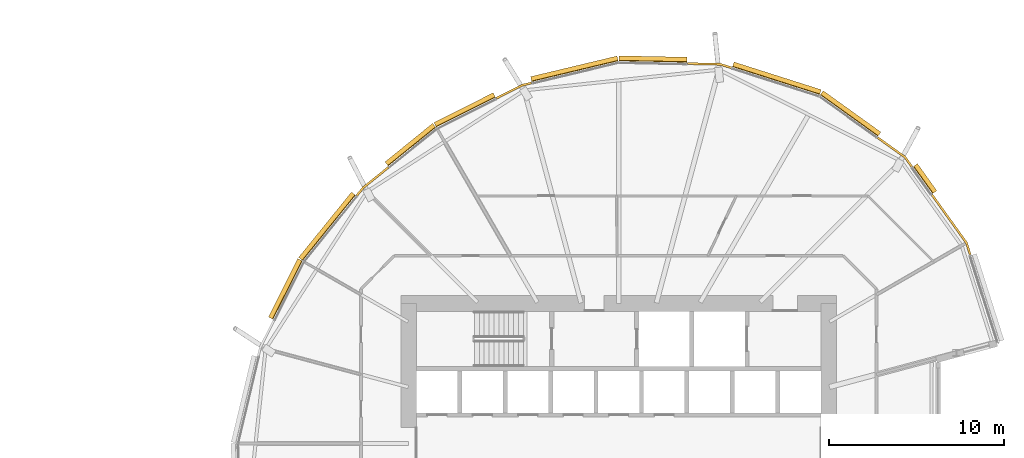
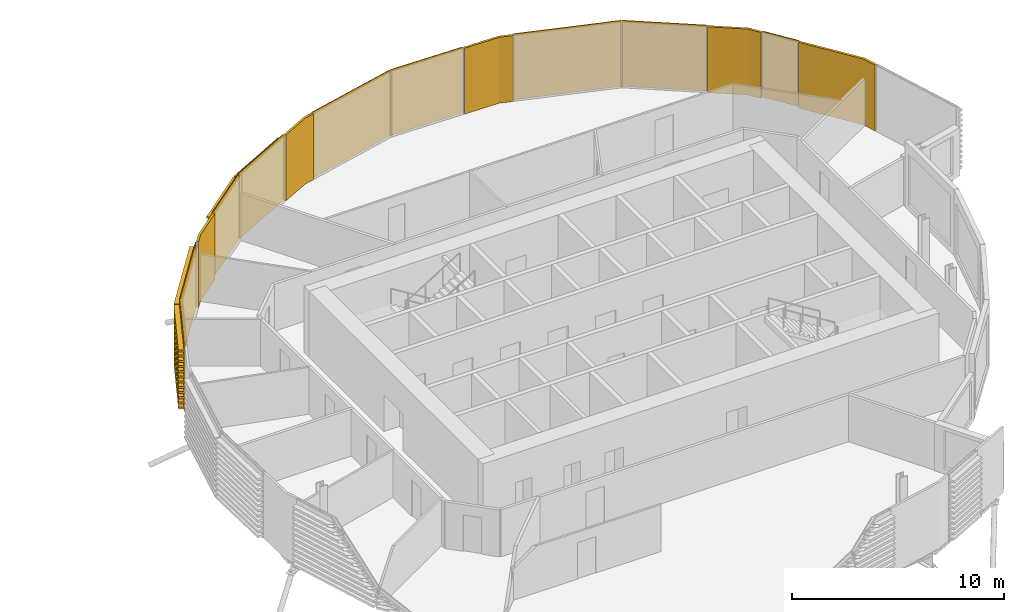
# One storey, part 38 of 38: 14 coverings.
"""IFC4 building model written with IfcOpenShell, lengths in metres."""

from ifc_helpers import new_model, si_unit, direction, frame, origin, place, context, subcontext, project, spatial, polyline, outline, extrude, material, layer, layer_set, material_profile, profile_set, type_object, element, save


model = new_model("IFC4")

# Units and contexts
model_context = context("Model", 3, precision=1e-05, world=origin(), true_north=direction((0.0, 1.0)))
body_context = subcontext(model_context, "Body", "Model", "MODEL_VIEW")
ifc_project = project(units=[si_unit("LENGTHUNIT", "METRE"), si_unit("AREAUNIT", "SQUARE_METRE"), si_unit("VOLUMEUNIT", "CUBIC_METRE"), si_unit("PLANEANGLEUNIT", "RADIAN"), si_unit("MASSUNIT", "GRAM", prefix="KILO")], contexts=[model_context])

# Site, building, storey
site_placement = place(None, origin())
site = spatial("IfcSite", under=ifc_project, at=site_placement, CompositionType="ELEMENT")
building_placement = place(site_placement, origin())
building = spatial("IfcBuilding", under=site, at=building_placement, Name="Rimbun Link Towers", CompositionType="ELEMENT")
storey_placement = place(building_placement, frame((0.0, 0.0, 56.60009765625)))
storey = spatial("IfcBuildingStorey", under=building, at=storey_placement, Name="L13", CompositionType="ELEMENT", Elevation=56.60009765625)

# Coverings
ifc_material_1 = material(Name="Terracotta", Category="masonry")
ifc_layer = layer(ifc_material_1, 0.1201171875)
ifc_layer_set = layer_set([ifc_layer], Name="LINK PIER terracotta cladding 120")
covering_type_1 = type_object("IfcCoveringType", Name="LINK PIER terracotta cladding 120", PredefinedType="CLADDING", material=ifc_layer_set)
covering_1_placement = place(storey_placement, origin())
element("IfcCovering", 1, at=covering_1_placement, inside=storey, type_object=covering_type_1, Name="LINK PIER cladding", PredefinedType="CLADDING", context=body_context, shape_type="SweptSolid", body=[
    extrude(outline(polyline([(46.503662109375, 17.432861328125), (48.063720703125, 16.313720703125), (48.4541015625, 15.769287109375), (48.5517578125, 15.839111328125), (48.149658203125, 16.399658203125), (46.57373046875, 17.530517578125), (46.503662109375, 17.432861328125)])), origin(), (0.0, 0.0, 1.0), 3.7998046875),
])
covering_2_placement = place(storey_placement, origin())
element("IfcCovering", 2, at=covering_2_placement, inside=storey, type_object=covering_type_1, Name="LINK PIER cladding", PredefinedType="CLADDING", context=body_context, shape_type="SweptSolid", body=[
    extrude(outline(polyline([(35.67041015625, 21.647705078125), (37.539794921875, 21.6083984375), (38.178466796875, 21.4052734375), (38.21484375, 21.51953125), (37.559814453125, 21.72802734375), (35.6728515625, 21.767578125), (35.67041015625, 21.647705078125)])), origin(), (0.0, 0.0, 1.0), 3.7998046875),
])
covering_3_placement = place(storey_placement, origin())
element("IfcCovering", 3, at=covering_3_placement, inside=storey, type_object=covering_type_1, Name="LINK PIER cladding", PredefinedType="CLADDING", context=body_context, shape_type="SweptSolid", body=[
    extrude(outline(polyline([(24.78564453125, 19.672119140625), (26.278076171875, 20.421630859375), (26.78369140625, 20.54248046875), (26.755859375, 20.6591796875), (26.236572265625, 20.53515625), (24.731689453125, 19.779296875), (24.78564453125, 19.672119140625)])), origin(), (0.0, 0.0, 1.0), 3.7998046875),
])
covering_4_placement = place(storey_placement, origin())
element("IfcCovering", 4, at=covering_4_placement, inside=storey, type_object=covering_type_1, Name="LINK PIER cladding", PredefinedType="CLADDING", context=body_context, shape_type="SweptSolid", body=[
    extrude(outline(polyline([(16.82568359375, 14.12255859375), (17.184326171875, 14.565673828125), (18.6376953125, 15.7421875), (18.562255859375, 15.83544921875), (17.098876953125, 14.651123046875), (16.732421875, 14.1982421875), (16.82568359375, 14.12255859375)])), origin(), (0.0, 0.0, 1.0), 3.7998046875),
])
covering_5_placement = place(storey_placement, origin())
element("IfcCovering", 5, at=covering_5_placement, inside=storey, type_object=covering_type_1, Name="LINK PIER cladding", PredefinedType="CLADDING", context=body_context, shape_type="SweptSolid", body=[
    extrude(outline(polyline([(49.59716796875, 14.176513671875), (51.56201171875, 11.4384765625), (51.780029296875, 10.752197265625), (51.89453125, 10.78857421875), (51.67041015625, 11.492919921875), (49.694580078125, 14.246337890625), (49.59716796875, 14.176513671875)])), origin(), (0.0, 0.0, 1.0), 3.7998046875),
])
ifc_material_2 = material(Name="Terracotta", Category="masonry")
ifc_material_profile = material_profile(ifc_material_2, outline(polyline([(0.123046875, 0.0), (0.1630859375, 0.0), (0.1630859375, 0.10009765625), (0.423095703125, 0.10009765625), (0.423095703125, 0.219970703125), (0.1630859375, 0.219970703125), (0.1630859375, 0.39990234375), (0.423095703125, 0.39990234375), (0.423095703125, 0.52001953125), (0.1630859375, 0.52001953125), (0.1630859375, 0.699951171875), (0.423095703125, 0.699951171875), (0.423095703125, 0.820068359375), (0.1630859375, 0.820068359375), (0.1630859375, 1.0), (0.423095703125, 1.0), (0.423095703125, 1.1201171875), (0.1630859375, 1.1201171875), (0.1630859375, 1.300048828125), (0.423095703125, 1.300048828125), (0.423095703125, 1.419921875), (0.1630859375, 1.419921875), (0.1630859375, 1.60009765625), (0.423095703125, 1.60009765625), (0.423095703125, 1.719970703125), (0.1630859375, 1.719970703125), (0.1630859375, 1.89990234375), (0.423095703125, 1.89990234375), (0.423095703125, 2.02001953125), (0.1630859375, 2.02001953125), (0.1630859375, 2.199951171875), (0.423095703125, 2.199951171875), (0.423095703125, 2.320068359375), (0.1630859375, 2.320068359375), (0.1630859375, 2.5), (0.423095703125, 2.5), (0.423095703125, 2.6201171875), (0.1630859375, 2.6201171875), (0.1630859375, 2.800048828125), (0.423095703125, 2.800048828125), (0.423095703125, 2.919921875), (0.1630859375, 2.919921875), (0.1630859375, 3.10009765625), (0.423095703125, 3.10009765625), (0.423095703125, 3.219970703125), (0.1630859375, 3.219970703125), (0.1630859375, 3.39990234375), (0.423095703125, 3.39990234375), (0.423095703125, 3.52001953125), (0.1630859375, 3.52001953125), (0.1630859375, 3.800048828125), (0.123046875, 3.800048828125), (0.123046875, 0.0)])), Name="BAGUETTE 120X300")
ifc_profile_set = profile_set([ifc_material_profile], Name="Terracotta")
covering_type_2 = type_object("IfcCoveringType", Name="TERRACOTTA BAGUETTE 120X300 H3800", PredefinedType="CLADDING", material=ifc_profile_set)
covering_6_placement = place(storey_placement, frame((43.1884765625, 19.81201171875, 0.0), z_axis=(0.812444527333, -0.583038497877, 0.0), x_axis=(0.583038497877, 0.812444527333, 0.0)))
element("IfcCovering", 6, at=covering_6_placement, inside=storey, type_object=covering_type_2, Name="TERRACOTTA BAGUETTE", PredefinedType="CLADDING", context=body_context, shape_type="SweptSolid", body=[
    extrude(outline(polyline([(0.123046875, 0.0), (0.1630859375, 0.0), (0.1630859375, 0.10009765625), (0.423095703125, 0.10009765625), (0.423095703125, 0.219970703125), (0.1630859375, 0.219970703125), (0.1630859375, 0.39990234375), (0.423095703125, 0.39990234375), (0.423095703125, 0.52001953125), (0.1630859375, 0.52001953125), (0.1630859375, 0.699951171875), (0.423095703125, 0.699951171875), (0.423095703125, 0.820068359375), (0.1630859375, 0.820068359375), (0.1630859375, 1.0), (0.423095703125, 1.0), (0.423095703125, 1.1201171875), (0.1630859375, 1.1201171875), (0.1630859375, 1.300048828125), (0.423095703125, 1.300048828125), (0.423095703125, 1.419921875), (0.1630859375, 1.419921875), (0.1630859375, 1.60009765625), (0.423095703125, 1.60009765625), (0.423095703125, 1.719970703125), (0.1630859375, 1.719970703125), (0.1630859375, 1.89990234375), (0.423095703125, 1.89990234375), (0.423095703125, 2.02001953125), (0.1630859375, 2.02001953125), (0.1630859375, 2.199951171875), (0.423095703125, 2.199951171875), (0.423095703125, 2.320068359375), (0.1630859375, 2.320068359375), (0.1630859375, 2.5), (0.423095703125, 2.5), (0.423095703125, 2.6201171875), (0.1630859375, 2.6201171875), (0.1630859375, 2.800048828125), (0.423095703125, 2.800048828125), (0.423095703125, 2.919921875), (0.1630859375, 2.919921875), (0.1630859375, 3.10009765625), (0.423095703125, 3.10009765625), (0.423095703125, 3.219970703125), (0.1630859375, 3.219970703125), (0.1630859375, 3.39990234375), (0.423095703125, 3.39990234375), (0.423095703125, 3.52001953125), (0.1630859375, 3.52001953125), (0.1630859375, 3.800048828125), (0.123046875, 3.800048828125), (0.123046875, 0.0)])), origin(), (0.0, 0.0, 1.0), 4.050537109375),
])
covering_7_placement = place(storey_placement, frame((38.20703125, 21.396240234375, 0.0), z_axis=(0.952968707508, -0.303068709225, 0.0), x_axis=(0.303068709225, 0.952968707508, 0.0)))
element("IfcCovering", 7, at=covering_7_placement, inside=storey, type_object=covering_type_2, Name="TERRACOTTA BAGUETTE", PredefinedType="CLADDING", context=body_context, shape_type="SweptSolid", body=[
    extrude(outline(polyline([(0.123046875, 0.0), (0.1630859375, 0.0), (0.1630859375, 0.10009765625), (0.423095703125, 0.10009765625), (0.423095703125, 0.219970703125), (0.1630859375, 0.219970703125), (0.1630859375, 0.39990234375), (0.423095703125, 0.39990234375), (0.423095703125, 0.52001953125), (0.1630859375, 0.52001953125), (0.1630859375, 0.699951171875), (0.423095703125, 0.699951171875), (0.423095703125, 0.820068359375), (0.1630859375, 0.820068359375), (0.1630859375, 1.0), (0.423095703125, 1.0), (0.423095703125, 1.1201171875), (0.1630859375, 1.1201171875), (0.1630859375, 1.300048828125), (0.423095703125, 1.300048828125), (0.423095703125, 1.419921875), (0.1630859375, 1.419921875), (0.1630859375, 1.60009765625), (0.423095703125, 1.60009765625), (0.423095703125, 1.719970703125), (0.1630859375, 1.719970703125), (0.1630859375, 1.89990234375), (0.423095703125, 1.89990234375), (0.423095703125, 2.02001953125), (0.1630859375, 2.02001953125), (0.1630859375, 2.199951171875), (0.423095703125, 2.199951171875), (0.423095703125, 2.320068359375), (0.1630859375, 2.320068359375), (0.1630859375, 2.5), (0.423095703125, 2.5), (0.423095703125, 2.6201171875), (0.1630859375, 2.6201171875), (0.1630859375, 2.800048828125), (0.423095703125, 2.800048828125), (0.423095703125, 2.919921875), (0.1630859375, 2.919921875), (0.1630859375, 3.10009765625), (0.423095703125, 3.10009765625), (0.423095703125, 3.219970703125), (0.1630859375, 3.219970703125), (0.1630859375, 3.39990234375), (0.423095703125, 3.39990234375), (0.423095703125, 3.52001953125), (0.1630859375, 3.52001953125), (0.1630859375, 3.800048828125), (0.123046875, 3.800048828125), (0.123046875, 0.0)])), origin(), (0.0, 0.0, 1.0), 5.227294921875),
])
covering_8_placement = place(storey_placement, frame((31.75, 21.730224609375, 0.0), z_axis=(0.999779091943, -0.021018261425, 0.0), x_axis=(0.021018261425, 0.999779091943, 0.0)))
element("IfcCovering", 8, at=covering_8_placement, inside=storey, type_object=covering_type_2, Name="TERRACOTTA BAGUETTE", PredefinedType="CLADDING", context=body_context, shape_type="SweptSolid", body=[
    extrude(outline(polyline([(0.123046875, 0.0), (0.1630859375, 0.0), (0.1630859375, 0.10009765625), (0.423095703125, 0.10009765625), (0.423095703125, 0.219970703125), (0.1630859375, 0.219970703125), (0.1630859375, 0.39990234375), (0.423095703125, 0.39990234375), (0.423095703125, 0.52001953125), (0.1630859375, 0.52001953125), (0.1630859375, 0.699951171875), (0.423095703125, 0.699951171875), (0.423095703125, 0.820068359375), (0.1630859375, 0.820068359375), (0.1630859375, 1.0), (0.423095703125, 1.0), (0.423095703125, 1.1201171875), (0.1630859375, 1.1201171875), (0.1630859375, 1.300048828125), (0.423095703125, 1.300048828125), (0.423095703125, 1.419921875), (0.1630859375, 1.419921875), (0.1630859375, 1.60009765625), (0.423095703125, 1.60009765625), (0.423095703125, 1.719970703125), (0.1630859375, 1.719970703125), (0.1630859375, 1.89990234375), (0.423095703125, 1.89990234375), (0.423095703125, 2.02001953125), (0.1630859375, 2.02001953125), (0.1630859375, 2.199951171875), (0.423095703125, 2.199951171875), (0.423095703125, 2.320068359375), (0.1630859375, 2.320068359375), (0.1630859375, 2.5), (0.423095703125, 2.5), (0.423095703125, 2.6201171875), (0.1630859375, 2.6201171875), (0.1630859375, 2.800048828125), (0.423095703125, 2.800048828125), (0.423095703125, 2.919921875), (0.1630859375, 2.919921875), (0.1630859375, 3.10009765625), (0.423095703125, 3.10009765625), (0.423095703125, 3.219970703125), (0.1630859375, 3.219970703125), (0.1630859375, 3.39990234375), (0.423095703125, 3.39990234375), (0.423095703125, 3.52001953125), (0.1630859375, 3.52001953125), (0.1630859375, 3.800048828125), (0.123046875, 3.800048828125), (0.123046875, 0.0)])), origin(), (0.0, 0.0, 1.0), 3.891357421875),
])
covering_9_placement = place(storey_placement, frame((26.81298828125, 20.549560546875, 0.0), z_axis=(0.972575580595, 0.232587059033, 0.0), x_axis=(-0.232587059033, 0.972575580595, 0.0)))
element("IfcCovering", 9, at=covering_9_placement, inside=storey, type_object=covering_type_2, Name="TERRACOTTA BAGUETTE", PredefinedType="CLADDING", context=body_context, shape_type="SweptSolid", body=[
    extrude(outline(polyline([(0.123046875, 0.0), (0.1630859375, 0.0), (0.1630859375, 0.10009765625), (0.423095703125, 0.10009765625), (0.423095703125, 0.219970703125), (0.1630859375, 0.219970703125), (0.1630859375, 0.39990234375), (0.423095703125, 0.39990234375), (0.423095703125, 0.52001953125), (0.1630859375, 0.52001953125), (0.1630859375, 0.699951171875), (0.423095703125, 0.699951171875), (0.423095703125, 0.820068359375), (0.1630859375, 0.820068359375), (0.1630859375, 1.0), (0.423095703125, 1.0), (0.423095703125, 1.1201171875), (0.1630859375, 1.1201171875), (0.1630859375, 1.300048828125), (0.423095703125, 1.300048828125), (0.423095703125, 1.419921875), (0.1630859375, 1.419921875), (0.1630859375, 1.60009765625), (0.423095703125, 1.60009765625), (0.423095703125, 1.719970703125), (0.1630859375, 1.719970703125), (0.1630859375, 1.89990234375), (0.423095703125, 1.89990234375), (0.423095703125, 2.02001953125), (0.1630859375, 2.02001953125), (0.1630859375, 2.199951171875), (0.423095703125, 2.199951171875), (0.423095703125, 2.320068359375), (0.1630859375, 2.320068359375), (0.1630859375, 2.5), (0.423095703125, 2.5), (0.423095703125, 2.6201171875), (0.1630859375, 2.6201171875), (0.1630859375, 2.800048828125), (0.423095703125, 2.800048828125), (0.423095703125, 2.919921875), (0.1630859375, 2.919921875), (0.1630859375, 3.10009765625), (0.423095703125, 3.10009765625), (0.423095703125, 3.219970703125), (0.1630859375, 3.219970703125), (0.1630859375, 3.39990234375), (0.423095703125, 3.39990234375), (0.423095703125, 3.52001953125), (0.1630859375, 3.52001953125), (0.1630859375, 3.800048828125), (0.123046875, 3.800048828125), (0.123046875, 0.0)])), origin(), (0.0, 0.0, 1.0), 5.076171875),
])
covering_10_placement = place(storey_placement, frame((21.3798828125, 17.961669921875, 0.0), z_axis=(0.893625110825, 0.448814172351, 0.0), x_axis=(-0.448814172351, 0.893625110825, 0.0)))
element("IfcCovering", 10, at=covering_10_placement, inside=storey, type_object=covering_type_2, Name="TERRACOTTA BAGUETTE", PredefinedType="CLADDING", context=body_context, shape_type="SweptSolid", body=[
    extrude(outline(polyline([(0.123046875, 0.0), (0.1630859375, 0.0), (0.1630859375, 0.10009765625), (0.423095703125, 0.10009765625), (0.423095703125, 0.219970703125), (0.1630859375, 0.219970703125), (0.1630859375, 0.39990234375), (0.423095703125, 0.39990234375), (0.423095703125, 0.52001953125), (0.1630859375, 0.52001953125), (0.1630859375, 0.699951171875), (0.423095703125, 0.699951171875), (0.423095703125, 0.820068359375), (0.1630859375, 0.820068359375), (0.1630859375, 1.0), (0.423095703125, 1.0), (0.423095703125, 1.1201171875), (0.1630859375, 1.1201171875), (0.1630859375, 1.300048828125), (0.423095703125, 1.300048828125), (0.423095703125, 1.419921875), (0.1630859375, 1.419921875), (0.1630859375, 1.60009765625), (0.423095703125, 1.60009765625), (0.423095703125, 1.719970703125), (0.1630859375, 1.719970703125), (0.1630859375, 1.89990234375), (0.423095703125, 1.89990234375), (0.423095703125, 2.02001953125), (0.1630859375, 2.02001953125), (0.1630859375, 2.199951171875), (0.423095703125, 2.199951171875), (0.423095703125, 2.320068359375), (0.1630859375, 2.320068359375), (0.1630859375, 2.5), (0.423095703125, 2.5), (0.423095703125, 2.6201171875), (0.1630859375, 2.6201171875), (0.1630859375, 2.800048828125), (0.423095703125, 2.800048828125), (0.423095703125, 2.919921875), (0.1630859375, 2.919921875), (0.1630859375, 3.10009765625), (0.423095703125, 3.10009765625), (0.423095703125, 3.219970703125), (0.1630859375, 3.219970703125), (0.1630859375, 3.39990234375), (0.423095703125, 3.39990234375), (0.423095703125, 3.52001953125), (0.1630859375, 3.52001953125), (0.1630859375, 3.800048828125), (0.123046875, 3.800048828125), (0.123046875, 0.0)])), origin(), (0.0, 0.0, 1.0), 3.781005859375),
])
covering_11_placement = place(storey_placement, frame((18.6611328125, 15.760986328125, 0.0), z_axis=(0.777274127794, 0.629162085842, 0.0), x_axis=(-0.629162085842, 0.777274127794, 0.0)))
element("IfcCovering", 11, at=covering_11_placement, inside=storey, type_object=covering_type_2, Name="TERRACOTTA BAGUETTE", PredefinedType="CLADDING", context=body_context, shape_type="SweptSolid", body=[
    extrude(outline(polyline([(0.123046875, 0.0), (0.1630859375, 0.0), (0.1630859375, 0.10009765625), (0.423095703125, 0.10009765625), (0.423095703125, 0.219970703125), (0.1630859375, 0.219970703125), (0.1630859375, 0.39990234375), (0.423095703125, 0.39990234375), (0.423095703125, 0.52001953125), (0.1630859375, 0.52001953125), (0.1630859375, 0.699951171875), (0.423095703125, 0.699951171875), (0.423095703125, 0.820068359375), (0.1630859375, 0.820068359375), (0.1630859375, 1.0), (0.423095703125, 1.0), (0.423095703125, 1.1201171875), (0.1630859375, 1.1201171875), (0.1630859375, 1.300048828125), (0.423095703125, 1.300048828125), (0.423095703125, 1.419921875), (0.1630859375, 1.419921875), (0.1630859375, 1.60009765625), (0.423095703125, 1.60009765625), (0.423095703125, 1.719970703125), (0.1630859375, 1.719970703125), (0.1630859375, 1.89990234375), (0.423095703125, 1.89990234375), (0.423095703125, 2.02001953125), (0.1630859375, 2.02001953125), (0.1630859375, 2.199951171875), (0.423095703125, 2.199951171875), (0.423095703125, 2.320068359375), (0.1630859375, 2.320068359375), (0.1630859375, 2.5), (0.423095703125, 2.5), (0.423095703125, 2.6201171875), (0.1630859375, 2.6201171875), (0.1630859375, 2.800048828125), (0.423095703125, 2.800048828125), (0.423095703125, 2.919921875), (0.1630859375, 2.919921875), (0.1630859375, 3.10009765625), (0.423095703125, 3.10009765625), (0.423095703125, 3.219970703125), (0.1630859375, 3.219970703125), (0.1630859375, 3.39990234375), (0.423095703125, 3.39990234375), (0.423095703125, 3.52001953125), (0.1630859375, 3.52001953125), (0.1630859375, 3.800048828125), (0.123046875, 3.800048828125), (0.123046875, 0.0)])), origin(), (0.0, 0.0, 1.0), 3.497802734375),
])
covering_12_placement = place(storey_placement, frame((13.788330078125, 10.3701171875, 0.0), z_axis=(0.629152848556, 0.777281604796, 0.0), x_axis=(-0.777281604796, 0.629152848556, 0.0)))
element("IfcCovering", 12, at=covering_12_placement, inside=storey, type_object=covering_type_2, Name="TERRACOTTA BAGUETTE", PredefinedType="CLADDING", context=body_context, shape_type="SweptSolid", body=[
    extrude(outline(polyline([(0.123046875, 0.0), (0.1630859375, 0.0), (0.1630859375, 0.10009765625), (0.423095703125, 0.10009765625), (0.423095703125, 0.219970703125), (0.1630859375, 0.219970703125), (0.1630859375, 0.39990234375), (0.423095703125, 0.39990234375), (0.423095703125, 0.52001953125), (0.1630859375, 0.52001953125), (0.1630859375, 0.699951171875), (0.423095703125, 0.699951171875), (0.423095703125, 0.820068359375), (0.1630859375, 0.820068359375), (0.1630859375, 1.0), (0.423095703125, 1.0), (0.423095703125, 1.1201171875), (0.1630859375, 1.1201171875), (0.1630859375, 1.300048828125), (0.423095703125, 1.300048828125), (0.423095703125, 1.419921875), (0.1630859375, 1.419921875), (0.1630859375, 1.60009765625), (0.423095703125, 1.60009765625), (0.423095703125, 1.719970703125), (0.1630859375, 1.719970703125), (0.1630859375, 1.89990234375), (0.423095703125, 1.89990234375), (0.423095703125, 2.02001953125), (0.1630859375, 2.02001953125), (0.1630859375, 2.199951171875), (0.423095703125, 2.199951171875), (0.423095703125, 2.320068359375), (0.1630859375, 2.320068359375), (0.1630859375, 2.5), (0.423095703125, 2.5), (0.423095703125, 2.6201171875), (0.1630859375, 2.6201171875), (0.1630859375, 2.800048828125), (0.423095703125, 2.800048828125), (0.423095703125, 2.919921875), (0.1630859375, 2.919921875), (0.1630859375, 3.10009765625), (0.423095703125, 3.10009765625), (0.423095703125, 3.219970703125), (0.1630859375, 3.219970703125), (0.1630859375, 3.39990234375), (0.423095703125, 3.39990234375), (0.423095703125, 3.52001953125), (0.1630859375, 3.52001953125), (0.1630859375, 3.800048828125), (0.123046875, 3.800048828125), (0.123046875, 0.0)])), origin(), (0.0, 0.0, 1.0), 4.7978515625),
])
covering_13_placement = place(storey_placement, frame((12.11376953125, 7.035888671875, 0.0), z_axis=(0.448809464282, 0.89362747539, 0.0), x_axis=(-0.89362747539, 0.448809464282, 0.0)))
element("IfcCovering", 13, at=covering_13_placement, inside=storey, type_object=covering_type_2, Name="TERRACOTTA BAGUETTE", PredefinedType="CLADDING", context=body_context, shape_type="SweptSolid", body=[
    extrude(outline(polyline([(0.123046875, 0.0), (0.1630859375, 0.0), (0.1630859375, 0.10009765625), (0.423095703125, 0.10009765625), (0.423095703125, 0.219970703125), (0.1630859375, 0.219970703125), (0.1630859375, 0.39990234375), (0.423095703125, 0.39990234375), (0.423095703125, 0.52001953125), (0.1630859375, 0.52001953125), (0.1630859375, 0.699951171875), (0.423095703125, 0.699951171875), (0.423095703125, 0.820068359375), (0.1630859375, 0.820068359375), (0.1630859375, 1.0), (0.423095703125, 1.0), (0.423095703125, 1.1201171875), (0.1630859375, 1.1201171875), (0.1630859375, 1.300048828125), (0.423095703125, 1.300048828125), (0.423095703125, 1.419921875), (0.1630859375, 1.419921875), (0.1630859375, 1.60009765625), (0.423095703125, 1.60009765625), (0.423095703125, 1.719970703125), (0.1630859375, 1.719970703125), (0.1630859375, 1.89990234375), (0.423095703125, 1.89990234375), (0.423095703125, 2.02001953125), (0.1630859375, 2.02001953125), (0.1630859375, 2.199951171875), (0.423095703125, 2.199951171875), (0.423095703125, 2.320068359375), (0.1630859375, 2.320068359375), (0.1630859375, 2.5), (0.423095703125, 2.5), (0.423095703125, 2.6201171875), (0.1630859375, 2.6201171875), (0.1630859375, 2.800048828125), (0.423095703125, 2.800048828125), (0.423095703125, 2.919921875), (0.1630859375, 2.919921875), (0.1630859375, 3.10009765625), (0.423095703125, 3.10009765625), (0.423095703125, 3.219970703125), (0.1630859375, 3.219970703125), (0.1630859375, 3.39990234375), (0.423095703125, 3.39990234375), (0.423095703125, 3.52001953125), (0.1630859375, 3.52001953125), (0.1630859375, 3.800048828125), (0.123046875, 3.800048828125), (0.123046875, 0.0)])), origin(), (0.0, 0.0, 1.0), 3.731201171875),
])
covering_14_placement = place(storey_placement, frame((48.4716796875, 15.744873046875, 0.0), z_axis=(0.582950280399, -0.812507828013, 0.0), x_axis=(0.812507828013, 0.582950280399, 0.0)))
element("IfcCovering", 14, at=covering_14_placement, inside=storey, type_object=covering_type_2, Name="TERRACOTTA BAGUETTE", PredefinedType="CLADDING", context=body_context, shape_type="SweptSolid", body=[
    extrude(outline(polyline([(0.123046875, 0.0), (0.1630859375, 0.0), (0.1630859375, 0.10009765625), (0.423095703125, 0.10009765625), (0.423095703125, 0.219970703125), (0.1630859375, 0.219970703125), (0.1630859375, 0.39990234375), (0.423095703125, 0.39990234375), (0.423095703125, 0.52001953125), (0.1630859375, 0.52001953125), (0.1630859375, 0.699951171875), (0.423095703125, 0.699951171875), (0.423095703125, 0.820068359375), (0.1630859375, 0.820068359375), (0.1630859375, 1.0), (0.423095703125, 1.0), (0.423095703125, 1.1201171875), (0.1630859375, 1.1201171875), (0.1630859375, 1.300048828125), (0.423095703125, 1.300048828125), (0.423095703125, 1.419921875), (0.1630859375, 1.419921875), (0.1630859375, 1.60009765625), (0.423095703125, 1.60009765625), (0.423095703125, 1.719970703125), (0.1630859375, 1.719970703125), (0.1630859375, 1.89990234375), (0.423095703125, 1.89990234375), (0.423095703125, 2.02001953125), (0.1630859375, 2.02001953125), (0.1630859375, 2.199951171875), (0.423095703125, 2.199951171875), (0.423095703125, 2.320068359375), (0.1630859375, 2.320068359375), (0.1630859375, 2.5), (0.423095703125, 2.5), (0.423095703125, 2.6201171875), (0.1630859375, 2.6201171875), (0.1630859375, 2.800048828125), (0.423095703125, 2.800048828125), (0.423095703125, 2.919921875), (0.1630859375, 2.919921875), (0.1630859375, 3.10009765625), (0.423095703125, 3.10009765625), (0.423095703125, 3.219970703125), (0.1630859375, 3.219970703125), (0.1630859375, 3.39990234375), (0.423095703125, 3.39990234375), (0.423095703125, 3.52001953125), (0.1630859375, 3.52001953125), (0.1630859375, 3.800048828125), (0.123046875, 3.800048828125), (0.123046875, 0.0)])), origin(), (0.0, 0.0, 1.0), 1.900634765625),
])

save(model, "model.ifc")
